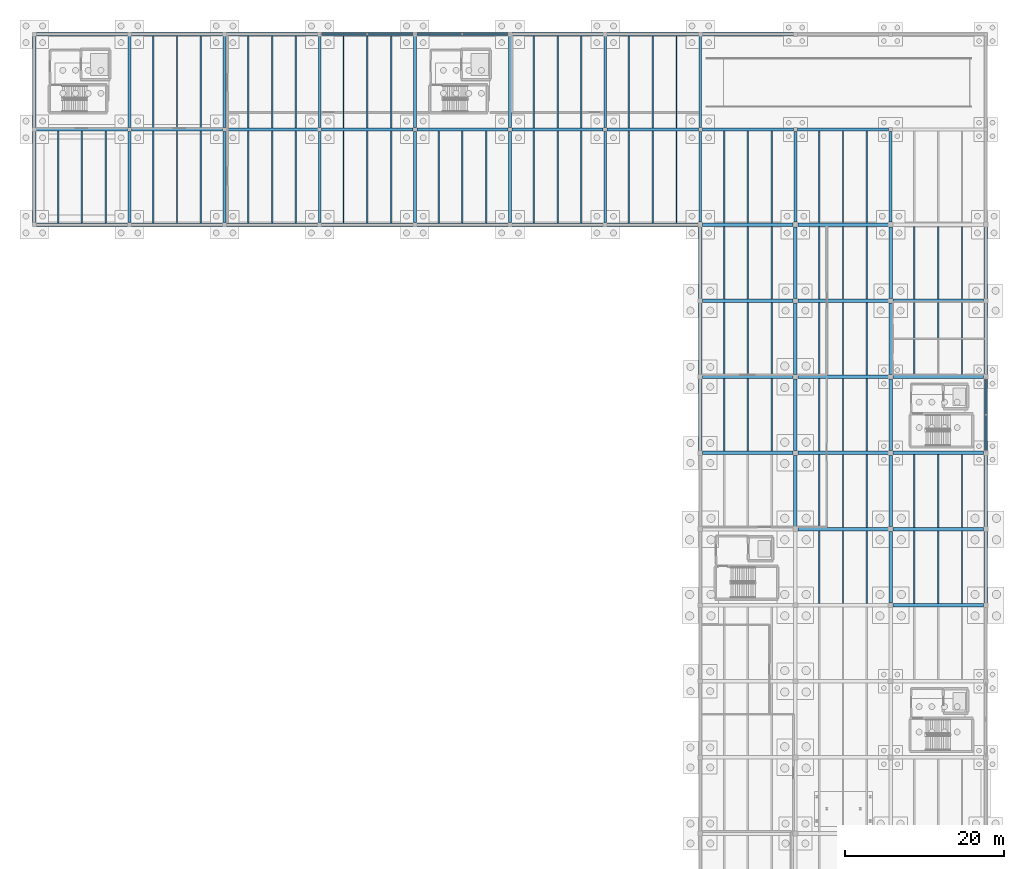
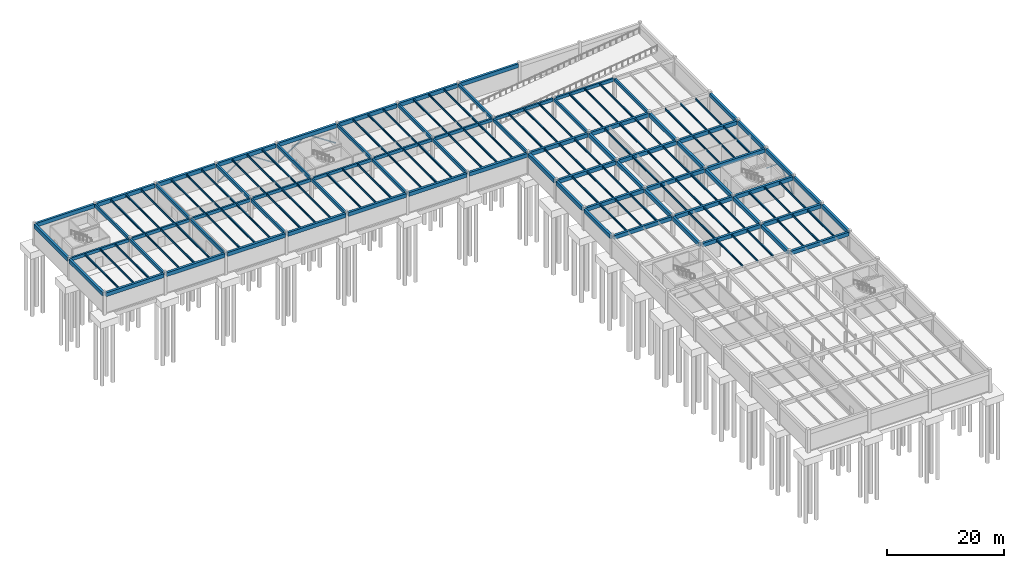
# One storey, part 6 of 20: 151 beams, 6 members.
"""IFC4 building model written with IfcOpenShell, lengths in metres."""

from ifc_helpers import new_model, si_unit, direction, frame, origin, origin_2d, place, context, subcontext, project, spatial, rectangle, hollow_rectangle, i_section, extrude, material, material_profile, profile_set, type_object, element, save


model = new_model("IFC4")

# Units and contexts
model_context = context("Model", 3, precision=1e-05, world=origin(), true_north=direction((0.0, 1.0)))
body_context = subcontext(model_context, "Body", "Model", "MODEL_VIEW")
ifc_project = project(units=[si_unit("LENGTHUNIT", "METRE"), si_unit("AREAUNIT", "SQUARE_METRE"), si_unit("VOLUMEUNIT", "CUBIC_METRE"), si_unit("PLANEANGLEUNIT", "RADIAN"), si_unit("MASSUNIT", "GRAM", prefix="KILO")], contexts=[model_context])

# Site, building, storey
site_placement = place(None, origin())
site = spatial("IfcSite", under=ifc_project, at=site_placement, CompositionType="ELEMENT")
building_placement = place(site_placement, origin())
building = spatial("IfcBuilding", under=site, at=building_placement, Name="Pandanus Reach Market Hall", CompositionType="ELEMENT")
storey_placement = place(building_placement, frame((0.0, 0.0, -4.5)))
storey = spatial("IfcBuildingStorey", under=building, at=storey_placement, Name="B1", CompositionType="ELEMENT", Elevation=-4.5)

# Beams
ifc_material_1 = material(Name="Concrete N40 (40 MPa)", Category="concrete")
ifc_material_profile_1 = material_profile(ifc_material_1, rectangle(XDim=0.35009765625, YDim=0.64990234375, at=origin_2d()), Name="RC350x650", Category="LoadBearing")
ifc_profile_set_1 = profile_set([ifc_material_profile_1], Name="Concrete N40 (40 MPa)")
beam_type_1 = type_object("IfcBeamType", Name="BM-RC350-I", PredefinedType="T_BEAM", material=ifc_profile_set_1)
for number, where, z_axis, x_axis, name in (
    (1, (60.248046875, 108.0, 3.85009765625), (1.0, 0.0, 0.0), (0.0, 1.0, 0.0), "Framing beam BM-RC350-I B1.671"),
    (2, (72.248046875, 108.0, 3.85009765625), (1.0, 0.0, 0.0), (0.0, 1.0, 0.0), "Framing beam BM-RC350-I B1.672"),
    (3, (84.248046875, 108.0, 3.85009765625), (1.0, 0.0, 0.0), (0.0, 1.0, 0.0), "Framing beam BM-RC350-I B1.673"),
    (4, (96.248046875, 108.0, 3.85009765625), (1.0, 0.0, 0.0), (0.0, 1.0, 0.0), "Framing beam BM-RC350-I B1.674"),
    (5, (108.248046875, 108.0, 3.85009765625), (1.0, 0.0, 0.0), (0.0, 1.0, 0.0), "Framing beam BM-RC350-I B1.675"),
    (6, (120.248046875, 108.0, 3.85009765625), (1.0, 0.0, 0.0), (0.0, 1.0, 0.0), "Framing beam BM-RC350-I B1.676"),
    (7, (132.248046875, 108.0, 3.85009765625), (1.0, 0.0, 0.0), (0.0, 1.0, 0.0), "Framing beam BM-RC350-I B1.677"),
    (8, (144.248046875, 108.0, 3.85009765625), (1.0, 0.0, 0.0), (0.0, 1.0, 0.0), "Framing beam BM-RC350-I B1.678"),
    (9, (156.248046875, 108.0, 3.85009765625), (1.0, 0.0, 0.0), (0.0, 1.0, 0.0), "Framing beam BM-RC350-I B1.679"),
    (10, (72.0, 96.248046875, 3.85009765625), (0.0, 1.0, 0.0), (-1.0, 0.0, 0.0), "Framing beam BM-RC350-I B1.693"),
    (11, (72.0, 108.248046875, 3.85009765625), (0.0, 1.0, 0.0), (-1.0, 0.0, 0.0), "Framing beam BM-RC350-I B1.694"),
    (12, (84.0, 96.248046875, 3.85009765625), (0.0, 1.0, 0.0), (-1.0, 0.0, 0.0), "Framing beam BM-RC350-I B1.695"),
    (13, (84.0, 108.248046875, 3.85009765625), (0.0, 1.0, 0.0), (-1.0, 0.0, 0.0), "Framing beam BM-RC350-I B1.696"),
    (14, (96.0, 96.248046875, 3.85009765625), (0.0, 1.0, 0.0), (-1.0, 0.0, 0.0), "Framing beam BM-RC350-I B1.697"),
    (15, (96.0, 108.248046875, 3.85009765625), (0.0, 1.0, 0.0), (-1.0, 0.0, 0.0), "Framing beam BM-RC350-I B1.698"),
    (16, (108.0, 96.248046875, 3.85009765625), (0.0, 1.0, 0.0), (-1.0, 0.0, 0.0), "Framing beam BM-RC350-I B1.699"),
    (17, (108.0, 108.248046875, 3.85009765625), (0.0, 1.0, 0.0), (-1.0, 0.0, 0.0), "Framing beam BM-RC350-I B1.700"),
    (18, (120.0, 96.248046875, 3.85009765625), (0.0, 1.0, 0.0), (-1.0, 0.0, 0.0), "Framing beam BM-RC350-I B1.701"),
    (19, (120.0, 108.248046875, 3.85009765625), (0.0, 1.0, 0.0), (-1.0, 0.0, 0.0), "Framing beam BM-RC350-I B1.702"),
    (20, (132.0, 96.248046875, 3.85009765625), (0.0, 1.0, 0.0), (-1.0, 0.0, 0.0), "Framing beam BM-RC350-I B1.703"),
    (21, (132.0, 108.248046875, 3.85009765625), (0.0, 1.0, 0.0), (-1.0, 0.0, 0.0), "Framing beam BM-RC350-I B1.704"),
):
    element("IfcBeam", number, at=place(storey_placement, frame(where, z_axis=z_axis, x_axis=x_axis)), inside=storey, type_object=beam_type_1, Name=name, PredefinedType="T_BEAM", context=body_context, shape_type="SweptSolid", body=[
        extrude(rectangle(XDim=0.35009765625, YDim=0.64990234375, at=origin_2d()), origin(), (0.0, 0.0, 1.0), 11.50390625),
    ])
beam_1_placement = place(storey_placement, frame((144.0, 96.298095703125, 3.85009765625), z_axis=(0.0, 1.0, 0.0), x_axis=(-1.0, 0.0, 0.0)))
element("IfcBeam", 22, at=beam_1_placement, inside=storey, type_object=beam_type_1, Name="Framing beam BM-RC350-I B1.705", PredefinedType="T_BEAM", context=body_context, shape_type="SweptSolid", body=[
    extrude(rectangle(XDim=0.35009765625, YDim=0.64990234375, at=origin_2d()), origin(), (0.0, 0.0, 1.0), 11.453857421875),
])
beam_2_placement = place(storey_placement, frame((144.0, 108.248046875, 3.85009765625), z_axis=(0.0, 1.0, 0.0), x_axis=(-1.0, 0.0, 0.0)))
element("IfcBeam", 23, at=beam_2_placement, inside=storey, type_object=beam_type_1, Name="Framing beam BM-RC350-I B1.706", PredefinedType="T_BEAM", context=body_context, shape_type="SweptSolid", body=[
    extrude(rectangle(XDim=0.35009765625, YDim=0.64990234375, at=origin_2d()), origin(), (0.0, 0.0, 1.0), 11.50390625),
])
for number, where, z_axis, x_axis, name in (
    (24, (156.0, 96.298095703125, 3.85009765625), (0.0, 1.0, 0.0), (-1.0, 0.0, 0.0), "Framing beam BM-RC350-I B1.707"),
    (25, (168.0, 96.298095703125, 3.85009765625), (0.0, 1.0, 0.0), (-1.0, 0.0, 0.0), "Framing beam BM-RC350-I B1.708"),
):
    element("IfcBeam", number, at=place(storey_placement, frame(where, z_axis=z_axis, x_axis=x_axis)), inside=storey, type_object=beam_type_1, Name=name, PredefinedType="T_BEAM", context=body_context, shape_type="SweptSolid", body=[
        extrude(rectangle(XDim=0.35009765625, YDim=0.64990234375, at=origin_2d()), origin(), (0.0, 0.0, 1.0), 11.453857421875),
    ])
ifc_material_profile_2 = material_profile(ifc_material_1, rectangle(XDim=0.449951171875, YDim=0.800048828125, at=origin_2d()), Name="RC450x800", Category="LoadBearing")
ifc_profile_set_2 = profile_set([ifc_material_profile_2], Name="Concrete N40 (40 MPa)")
beam_type_2 = type_object("IfcBeamType", Name="BM-RC450-E", PredefinedType="SPANDREL", material=ifc_profile_set_2)
for number, where, z_axis, x_axis, name in (
    (26, (144.298095703125, 96.0, 3.77490234375), (1.0, 0.0, 0.0), (0.0, 1.0, 0.0), "Framing beam BM-RC450-E B1.31"),
    (27, (156.298095703125, 96.0, 3.77490234375), (1.0, 0.0, 0.0), (0.0, 1.0, 0.0), "Framing beam BM-RC450-E B1.32"),
):
    element("IfcBeam", number, at=place(storey_placement, frame(where, z_axis=z_axis, x_axis=x_axis)), inside=storey, type_object=beam_type_2, Name=name, PredefinedType="SPANDREL", context=body_context, shape_type="SweptSolid", body=[
        extrude(rectangle(XDim=0.449951171875, YDim=0.800048828125, at=origin_2d()), origin(), (0.0, 0.0, 1.0), 11.40380859375),
    ])
beam_3_placement = place(storey_placement, frame((144.0, 67.498046875, 3.794921875), z_axis=(0.0, 1.0, 0.0), x_axis=(-1.0, 0.0, 0.0)))
element("IfcBeam", 28, at=beam_3_placement, inside=storey, type_object=beam_type_2, Name="Framing beam BM-RC450-E B1.41", PredefinedType="SPANDREL", context=body_context, shape_type="SweptSolid", body=[
    extrude(rectangle(XDim=0.449951171875, YDim=0.800048828125, at=origin_2d()), origin(), (0.0, 0.0, 1.0), 9.00390625),
])
beam_4_placement = place(storey_placement, frame((144.0, 77.097900390625, 3.794921875), z_axis=(0.0, 1.0, 0.0), x_axis=(-1.0, 0.0, 0.0)))
element("IfcBeam", 29, at=beam_4_placement, inside=storey, type_object=beam_type_2, Name="Framing beam BM-RC450-E B1.42", PredefinedType="SPANDREL", context=body_context, shape_type="SweptSolid", body=[
    extrude(rectangle(XDim=0.449951171875, YDim=0.800048828125, at=origin_2d()), origin(), (0.0, 0.0, 1.0), 9.004150390625),
])
for number, where, z_axis, x_axis, name in (
    (30, (144.0, 86.697998046875, 3.794921875), (0.0, 1.0, 0.0), (-1.0, 0.0, 0.0), "Framing beam BM-RC450-E B1.43"),
    (31, (180.0, 48.298095703125, 3.794921875), (0.0, 1.0, 0.0), (-1.0, 0.0, 0.0), "Framing beam BM-RC450-E B1.69"),
):
    element("IfcBeam", number, at=place(storey_placement, frame(where, z_axis=z_axis, x_axis=x_axis)), inside=storey, type_object=beam_type_2, Name=name, PredefinedType="SPANDREL", context=body_context, shape_type="SweptSolid", body=[
        extrude(rectangle(XDim=0.449951171875, YDim=0.800048828125, at=origin_2d()), origin(), (0.0, 0.0, 1.0), 9.00390625),
    ])
beam_5_placement = place(storey_placement, frame((180.0, 57.89794921875, 3.794921875), z_axis=(0.0, 1.0, 0.0), x_axis=(-1.0, 0.0, 0.0)))
element("IfcBeam", 32, at=beam_5_placement, inside=storey, type_object=beam_type_2, Name="Framing beam BM-RC450-E B1.70", PredefinedType="SPANDREL", context=body_context, shape_type="SweptSolid", body=[
    extrude(rectangle(XDim=0.449951171875, YDim=0.800048828125, at=origin_2d()), origin(), (0.0, 0.0, 1.0), 9.004150390625),
])
beam_6_placement = place(storey_placement, frame((180.0, 67.498046875, 3.794921875), z_axis=(0.0, 1.0, 0.0), x_axis=(-1.0, 0.0, 0.0)))
element("IfcBeam", 33, at=beam_6_placement, inside=storey, type_object=beam_type_2, Name="Framing beam BM-RC450-E B1.71", PredefinedType="SPANDREL", context=body_context, shape_type="SweptSolid", body=[
    extrude(rectangle(XDim=0.449951171875, YDim=0.800048828125, at=origin_2d()), origin(), (0.0, 0.0, 1.0), 9.00390625),
])
beam_7_placement = place(storey_placement, frame((180.0, 77.097900390625, 3.794921875), z_axis=(0.0, 1.0, 0.0), x_axis=(-1.0, 0.0, 0.0)))
element("IfcBeam", 34, at=beam_7_placement, inside=storey, type_object=beam_type_2, Name="Framing beam BM-RC450-E B1.72", PredefinedType="SPANDREL", context=body_context, shape_type="SweptSolid", body=[
    extrude(rectangle(XDim=0.449951171875, YDim=0.800048828125, at=origin_2d()), origin(), (0.0, 0.0, 1.0), 9.004150390625),
])
beam_8_placement = place(storey_placement, frame((180.0, 86.697998046875, 3.794921875), z_axis=(0.0, 1.0, 0.0), x_axis=(-1.0, 0.0, 0.0)))
element("IfcBeam", 35, at=beam_8_placement, inside=storey, type_object=beam_type_2, Name="Framing beam BM-RC450-E B1.73", PredefinedType="SPANDREL", context=body_context, shape_type="SweptSolid", body=[
    extrude(rectangle(XDim=0.449951171875, YDim=0.800048828125, at=origin_2d()), origin(), (0.0, 0.0, 1.0), 9.00390625),
])
for number, where, z_axis, x_axis, name in (
    (36, (60.248046875, 96.0, 3.77490234375), (1.0, 0.0, 0.0), (0.0, 1.0, 0.0), "Framing beam BM-RC450-E B1.664"),
    (37, (72.248046875, 96.0, 3.77490234375), (1.0, 0.0, 0.0), (0.0, 1.0, 0.0), "Framing beam BM-RC450-E B1.665"),
    (38, (84.248046875, 96.0, 3.77490234375), (1.0, 0.0, 0.0), (0.0, 1.0, 0.0), "Framing beam BM-RC450-E B1.666"),
    (39, (96.248046875, 96.0, 3.77490234375), (1.0, 0.0, 0.0), (0.0, 1.0, 0.0), "Framing beam BM-RC450-E B1.667"),
    (40, (108.248046875, 96.0, 3.77490234375), (1.0, 0.0, 0.0), (0.0, 1.0, 0.0), "Framing beam BM-RC450-E B1.668"),
    (41, (120.248046875, 96.0, 3.77490234375), (1.0, 0.0, 0.0), (0.0, 1.0, 0.0), "Framing beam BM-RC450-E B1.669"),
):
    element("IfcBeam", number, at=place(storey_placement, frame(where, z_axis=z_axis, x_axis=x_axis)), inside=storey, type_object=beam_type_2, Name=name, PredefinedType="SPANDREL", context=body_context, shape_type="SweptSolid", body=[
        extrude(rectangle(XDim=0.449951171875, YDim=0.800048828125, at=origin_2d()), origin(), (0.0, 0.0, 1.0), 11.50390625),
    ])
beam_9_placement = place(storey_placement, frame((132.248046875, 96.0, 3.77490234375), z_axis=(1.0, 0.0, 0.0), x_axis=(0.0, 1.0, 0.0)))
element("IfcBeam", 42, at=beam_9_placement, inside=storey, type_object=beam_type_2, Name="Framing beam BM-RC450-E B1.670", PredefinedType="SPANDREL", context=body_context, shape_type="SweptSolid", body=[
    extrude(rectangle(XDim=0.449951171875, YDim=0.800048828125, at=origin_2d()), origin(), (0.0, 0.0, 1.0), 11.453857421875),
])
for number, where, z_axis, x_axis, name in (
    (43, (60.248046875, 120.0, 3.77490234375), (1.0, 0.0, 0.0), (0.0, 1.0, 0.0), "Framing beam BM-RC450-E B1.681"),
    (44, (72.248046875, 120.0, 3.77490234375), (1.0, 0.0, 0.0), (0.0, 1.0, 0.0), "Framing beam BM-RC450-E B1.682"),
    (45, (84.248046875, 120.0, 3.77490234375), (1.0, 0.0, 0.0), (0.0, 1.0, 0.0), "Framing beam BM-RC450-E B1.683"),
    (46, (96.248046875, 120.0, 3.77490234375), (1.0, 0.0, 0.0), (0.0, 1.0, 0.0), "Framing beam BM-RC450-E B1.684"),
    (47, (108.248046875, 120.0, 3.77490234375), (1.0, 0.0, 0.0), (0.0, 1.0, 0.0), "Framing beam BM-RC450-E B1.685"),
    (48, (120.248046875, 120.0, 3.77490234375), (1.0, 0.0, 0.0), (0.0, 1.0, 0.0), "Framing beam BM-RC450-E B1.686"),
    (49, (132.248046875, 120.0, 3.77490234375), (1.0, 0.0, 0.0), (0.0, 1.0, 0.0), "Framing beam BM-RC450-E B1.687"),
    (50, (144.248046875, 120.0, 3.77490234375), (1.0, 0.0, 0.0), (0.0, 1.0, 0.0), "Framing beam BM-RC450-E B1.688"),
    (51, (60.0, 96.248046875, 3.77490234375), (0.0, 1.0, 0.0), (-1.0, 0.0, 0.0), "Framing beam BM-RC450-E B1.691"),
    (52, (60.0, 108.248046875, 3.77490234375), (0.0, 1.0, 0.0), (-1.0, 0.0, 0.0), "Framing beam BM-RC450-E B1.692"),
):
    element("IfcBeam", number, at=place(storey_placement, frame(where, z_axis=z_axis, x_axis=x_axis)), inside=storey, type_object=beam_type_2, Name=name, PredefinedType="SPANDREL", context=body_context, shape_type="SweptSolid", body=[
        extrude(rectangle(XDim=0.449951171875, YDim=0.800048828125, at=origin_2d()), origin(), (0.0, 0.0, 1.0), 11.50390625),
    ])
ifc_material_profile_3 = material_profile(ifc_material_1, rectangle(XDim=0.449951171875, YDim=0.800048828125, at=origin_2d()), Name="RC450x800", Category="LoadBearing")
ifc_profile_set_3 = profile_set([ifc_material_profile_3], Name="Concrete N40 (40 MPa)")
beam_type_3 = type_object("IfcBeamType", Name="BM-RC450-I", PredefinedType="BEAM", material=ifc_profile_set_3)
for number, where, z_axis, x_axis, name in (
    (53, (168.298095703125, 48.0, 3.794921875), (1.0, 0.0, 0.0), (0.0, 1.0, 0.0), "Framing beam BM-RC450-I B1.18"),
    (54, (156.298095703125, 57.60009765625, 3.794921875), (1.0, 0.0, 0.0), (0.0, 1.0, 0.0), "Framing beam BM-RC450-I B1.20"),
    (55, (168.298095703125, 57.60009765625, 3.794921875), (1.0, 0.0, 0.0), (0.0, 1.0, 0.0), "Framing beam BM-RC450-I B1.21"),
    (56, (144.298095703125, 67.199951171875, 3.794921875), (1.0, 0.0, 0.0), (0.0, 1.0, 0.0), "Framing beam BM-RC450-I B1.22"),
    (57, (156.298095703125, 67.199951171875, 3.794921875), (1.0, 0.0, 0.0), (0.0, 1.0, 0.0), "Framing beam BM-RC450-I B1.23"),
    (58, (168.298095703125, 67.199951171875, 3.794921875), (1.0, 0.0, 0.0), (0.0, 1.0, 0.0), "Framing beam BM-RC450-I B1.24"),
    (59, (144.298095703125, 76.800048828125, 3.794921875), (1.0, 0.0, 0.0), (0.0, 1.0, 0.0), "Framing beam BM-RC450-I B1.25"),
    (60, (156.298095703125, 76.800048828125, 3.794921875), (1.0, 0.0, 0.0), (0.0, 1.0, 0.0), "Framing beam BM-RC450-I B1.26"),
    (61, (168.298095703125, 76.800048828125, 3.794921875), (1.0, 0.0, 0.0), (0.0, 1.0, 0.0), "Framing beam BM-RC450-I B1.27"),
    (62, (144.298095703125, 86.39990234375, 3.794921875), (1.0, 0.0, 0.0), (0.0, 1.0, 0.0), "Framing beam BM-RC450-I B1.28"),
    (63, (156.298095703125, 86.39990234375, 3.794921875), (1.0, 0.0, 0.0), (0.0, 1.0, 0.0), "Framing beam BM-RC450-I B1.29"),
    (64, (168.298095703125, 86.39990234375, 3.794921875), (1.0, 0.0, 0.0), (0.0, 1.0, 0.0), "Framing beam BM-RC450-I B1.30"),
):
    element("IfcBeam", number, at=place(storey_placement, frame(where, z_axis=z_axis, x_axis=x_axis)), inside=storey, type_object=beam_type_3, Name=name, PredefinedType="BEAM", context=body_context, shape_type="SweptSolid", body=[
        extrude(rectangle(XDim=0.449951171875, YDim=0.800048828125, at=origin_2d()), origin(), (0.0, 0.0, 1.0), 11.40380859375),
    ])
beam_10_placement = place(storey_placement, frame((156.0, 57.89794921875, 3.794921875), z_axis=(0.0, 1.0, 0.0), x_axis=(-1.0, 0.0, 0.0)))
element("IfcBeam", 65, at=beam_10_placement, inside=storey, type_object=beam_type_3, Name="Framing beam BM-RC450-I B1.50", PredefinedType="BEAM", context=body_context, shape_type="SweptSolid", body=[
    extrude(rectangle(XDim=0.449951171875, YDim=0.800048828125, at=origin_2d()), origin(), (0.0, 0.0, 1.0), 9.004150390625),
])
beam_11_placement = place(storey_placement, frame((156.0, 67.498046875, 3.794921875), z_axis=(0.0, 1.0, 0.0), x_axis=(-1.0, 0.0, 0.0)))
element("IfcBeam", 66, at=beam_11_placement, inside=storey, type_object=beam_type_3, Name="Framing beam BM-RC450-I B1.51", PredefinedType="BEAM", context=body_context, shape_type="SweptSolid", body=[
    extrude(rectangle(XDim=0.449951171875, YDim=0.800048828125, at=origin_2d()), origin(), (0.0, 0.0, 1.0), 9.00390625),
])
beam_12_placement = place(storey_placement, frame((156.0, 77.097900390625, 3.794921875), z_axis=(0.0, 1.0, 0.0), x_axis=(-1.0, 0.0, 0.0)))
element("IfcBeam", 67, at=beam_12_placement, inside=storey, type_object=beam_type_3, Name="Framing beam BM-RC450-I B1.52", PredefinedType="BEAM", context=body_context, shape_type="SweptSolid", body=[
    extrude(rectangle(XDim=0.449951171875, YDim=0.800048828125, at=origin_2d()), origin(), (0.0, 0.0, 1.0), 9.004150390625),
])
for number, where, z_axis, x_axis, name in (
    (68, (156.0, 86.697998046875, 3.794921875), (0.0, 1.0, 0.0), (-1.0, 0.0, 0.0), "Framing beam BM-RC450-I B1.53"),
    (69, (168.0, 48.298095703125, 3.794921875), (0.0, 1.0, 0.0), (-1.0, 0.0, 0.0), "Framing beam BM-RC450-I B1.59"),
):
    element("IfcBeam", number, at=place(storey_placement, frame(where, z_axis=z_axis, x_axis=x_axis)), inside=storey, type_object=beam_type_3, Name=name, PredefinedType="BEAM", context=body_context, shape_type="SweptSolid", body=[
        extrude(rectangle(XDim=0.449951171875, YDim=0.800048828125, at=origin_2d()), origin(), (0.0, 0.0, 1.0), 9.00390625),
    ])
beam_13_placement = place(storey_placement, frame((168.0, 57.89794921875, 3.794921875), z_axis=(0.0, 1.0, 0.0), x_axis=(-1.0, 0.0, 0.0)))
element("IfcBeam", 70, at=beam_13_placement, inside=storey, type_object=beam_type_3, Name="Framing beam BM-RC450-I B1.60", PredefinedType="BEAM", context=body_context, shape_type="SweptSolid", body=[
    extrude(rectangle(XDim=0.449951171875, YDim=0.800048828125, at=origin_2d()), origin(), (0.0, 0.0, 1.0), 9.004150390625),
])
beam_14_placement = place(storey_placement, frame((168.0, 67.498046875, 3.794921875), z_axis=(0.0, 1.0, 0.0), x_axis=(-1.0, 0.0, 0.0)))
element("IfcBeam", 71, at=beam_14_placement, inside=storey, type_object=beam_type_3, Name="Framing beam BM-RC450-I B1.61", PredefinedType="BEAM", context=body_context, shape_type="SweptSolid", body=[
    extrude(rectangle(XDim=0.449951171875, YDim=0.800048828125, at=origin_2d()), origin(), (0.0, 0.0, 1.0), 9.00390625),
])
beam_15_placement = place(storey_placement, frame((168.0, 77.097900390625, 3.794921875), z_axis=(0.0, 1.0, 0.0), x_axis=(-1.0, 0.0, 0.0)))
element("IfcBeam", 72, at=beam_15_placement, inside=storey, type_object=beam_type_3, Name="Framing beam BM-RC450-I B1.62", PredefinedType="BEAM", context=body_context, shape_type="SweptSolid", body=[
    extrude(rectangle(XDim=0.449951171875, YDim=0.800048828125, at=origin_2d()), origin(), (0.0, 0.0, 1.0), 9.004150390625),
])
beam_16_placement = place(storey_placement, frame((168.0, 86.697998046875, 3.794921875), z_axis=(0.0, 1.0, 0.0), x_axis=(-1.0, 0.0, 0.0)))
element("IfcBeam", 73, at=beam_16_placement, inside=storey, type_object=beam_type_3, Name="Framing beam BM-RC450-I B1.63", PredefinedType="BEAM", context=body_context, shape_type="SweptSolid", body=[
    extrude(rectangle(XDim=0.449951171875, YDim=0.800048828125, at=origin_2d()), origin(), (0.0, 0.0, 1.0), 9.00390625),
])

# Members
ifc_material_2 = material(Name="Steel Grade 350 (350 MPa)", Category="steel")
ifc_material_profile_4 = material_profile(ifc_material_2, hollow_rectangle(XDim=0.199951171875, YDim=0.199951171875, WallThickness=0.009033203125, at=origin_2d()), Name="200x200x9.0SHS", Category="LoadBearing")
ifc_profile_set_4 = profile_set([ifc_material_profile_4], Name="Steel Grade 350 (350 MPa)")
member_type = type_object("IfcMemberType", Name="BR-SHS200-I", PredefinedType="BRACE", material=ifc_profile_set_4)
for number, where, z_axis, x_axis, name in (
    (74, (96.2900390625, 120.0, 0.10009765625), (0.835971080491, 0.0, 0.548773498434), (0.0, 1.0, 0.0), "Chevron brace BR-SHS200-I 1A"),
    (75, (107.7099609375, 120.0, 0.10009765625), (-0.835971080491, 0.0, 0.548773498434), (0.0, -1.0, 0.0), "Chevron brace BR-SHS200-I 1B"),
    (76, (108.2900390625, 120.0, 0.10009765625), (0.835971080491, 0.0, 0.548773498434), (0.0, 1.0, 0.0), "Chevron brace BR-SHS200-I 2A"),
    (77, (119.7099609375, 120.0, 0.10009765625), (-0.835971080491, 0.0, 0.548773498434), (0.0, -1.0, 0.0), "Chevron brace BR-SHS200-I 2B"),
):
    element("IfcMember", number, at=place(storey_placement, frame(where, z_axis=z_axis, x_axis=x_axis)), inside=storey, type_object=member_type, Name=name, PredefinedType="BRACE", context=body_context, shape_type="SweptSolid", body=[
        extrude(hollow_rectangle(XDim=0.199951171875, YDim=0.199951171875, WallThickness=0.009033203125, at=origin_2d()), origin(), (0.0, 0.0, 1.0), 6.651123046875),
    ])
for number, where, z_axis, x_axis, name in (
    (78, (180.0, 67.489990234375, 0.10009765625), (0.0, 0.766794041081, 0.641893214299), (-1.0, 0.0, 0.0), "Chevron brace BR-SHS200-I 4A"),
    (79, (180.0, 76.510009765625, 0.10009765625), (0.0, -0.766794041081, 0.641893214299), (1.0, 0.0, 0.0), "Chevron brace BR-SHS200-I 4B"),
):
    element("IfcMember", number, at=place(storey_placement, frame(where, z_axis=z_axis, x_axis=x_axis)), inside=storey, type_object=member_type, Name=name, PredefinedType="BRACE", context=body_context, shape_type="SweptSolid", body=[
        extrude(hollow_rectangle(XDim=0.199951171875, YDim=0.199951171875, WallThickness=0.009033203125, at=origin_2d()), origin(), (0.0, 0.0, 1.0), 5.68603515625),
    ])

# Beams
ifc_material_profile_5 = material_profile(ifc_material_2, i_section(OverallWidth=0.177978515625, OverallDepth=0.406005859375, WebThickness=0.0078125, FlangeThickness=0.0126953125, at=origin_2d()), Name="410UB59.7", Category="LoadBearing")
ifc_profile_set_5 = profile_set([ifc_material_profile_5], Name="Steel Grade 350 (350 MPa)")
beam_type_4 = type_object("IfcBeamType", Name="JS-UB410-I", PredefinedType="JOIST", material=ifc_profile_set_5)
for number, where, z_axis, x_axis, name in (
    (80, (147.0, 67.423095703125, 3.99169921875), (0.0, 1.0, 0.0), (-1.0, 0.0, 0.0), "Secondary joist JS-UB410-I B1.92"),
    (81, (150.0, 67.423095703125, 3.99169921875), (0.0, 1.0, 0.0), (-1.0, 0.0, 0.0), "Secondary joist JS-UB410-I B1.93"),
    (82, (153.0, 67.423095703125, 3.99169921875), (0.0, 1.0, 0.0), (-1.0, 0.0, 0.0), "Secondary joist JS-UB410-I B1.94"),
):
    element("IfcBeam", number, at=place(storey_placement, frame(where, z_axis=z_axis, x_axis=x_axis)), inside=storey, type_object=beam_type_4, Name=name, PredefinedType="JOIST", context=body_context, shape_type="SweptSolid", body=[
        extrude(i_section(OverallWidth=0.177978515625, OverallDepth=0.406005859375, WebThickness=0.0078125, FlangeThickness=0.0126953125, at=origin_2d()), origin(), (0.0, 0.0, 1.0), 9.15380859375),
    ])
for number, where, z_axis, x_axis, name in (
    (83, (147.0, 77.02294921875, 3.99169921875), (0.0, 1.0, 0.0), (-1.0, 0.0, 0.0), "Secondary joist JS-UB410-I B1.95"),
    (84, (150.0, 77.02294921875, 3.99169921875), (0.0, 1.0, 0.0), (-1.0, 0.0, 0.0), "Secondary joist JS-UB410-I B1.96"),
    (85, (153.0, 77.02294921875, 3.99169921875), (0.0, 1.0, 0.0), (-1.0, 0.0, 0.0), "Secondary joist JS-UB410-I B1.97"),
    (86, (147.0, 86.623046875, 3.99169921875), (0.0, 1.0, 0.0), (-1.0, 0.0, 0.0), "Secondary joist JS-UB410-I B1.98"),
    (87, (150.0, 86.623046875, 3.99169921875), (0.0, 1.0, 0.0), (-1.0, 0.0, 0.0), "Secondary joist JS-UB410-I B1.99"),
    (88, (153.0, 86.623046875, 3.99169921875), (0.0, 1.0, 0.0), (-1.0, 0.0, 0.0), "Secondary joist JS-UB410-I B1.100"),
    (89, (159.0, 48.222900390625, 3.99169921875), (0.0, 1.0, 0.0), (-1.0, 0.0, 0.0), "Secondary joist JS-UB410-I B1.116"),
    (90, (162.0, 48.222900390625, 3.99169921875), (0.0, 1.0, 0.0), (-1.0, 0.0, 0.0), "Secondary joist JS-UB410-I B1.117"),
    (91, (165.0, 48.222900390625, 3.99169921875), (0.0, 1.0, 0.0), (-1.0, 0.0, 0.0), "Secondary joist JS-UB410-I B1.118"),
    (92, (159.0, 57.822998046875, 3.99169921875), (0.0, 1.0, 0.0), (-1.0, 0.0, 0.0), "Secondary joist JS-UB410-I B1.119"),
    (93, (162.0, 57.822998046875, 3.99169921875), (0.0, 1.0, 0.0), (-1.0, 0.0, 0.0), "Secondary joist JS-UB410-I B1.120"),
    (94, (165.0, 57.822998046875, 3.99169921875), (0.0, 1.0, 0.0), (-1.0, 0.0, 0.0), "Secondary joist JS-UB410-I B1.121"),
):
    element("IfcBeam", number, at=place(storey_placement, frame(where, z_axis=z_axis, x_axis=x_axis)), inside=storey, type_object=beam_type_4, Name=name, PredefinedType="JOIST", context=body_context, shape_type="SweptSolid", body=[
        extrude(i_section(OverallWidth=0.177978515625, OverallDepth=0.406005859375, WebThickness=0.0078125, FlangeThickness=0.0126953125, at=origin_2d()), origin(), (0.0, 0.0, 1.0), 9.154052734375),
    ])
for number, where, z_axis, x_axis, name in (
    (95, (159.0, 67.423095703125, 3.99169921875), (0.0, 1.0, 0.0), (-1.0, 0.0, 0.0), "Secondary joist JS-UB410-I B1.122"),
    (96, (162.0, 67.423095703125, 3.99169921875), (0.0, 1.0, 0.0), (-1.0, 0.0, 0.0), "Secondary joist JS-UB410-I B1.123"),
    (97, (165.0, 67.423095703125, 3.99169921875), (0.0, 1.0, 0.0), (-1.0, 0.0, 0.0), "Secondary joist JS-UB410-I B1.124"),
):
    element("IfcBeam", number, at=place(storey_placement, frame(where, z_axis=z_axis, x_axis=x_axis)), inside=storey, type_object=beam_type_4, Name=name, PredefinedType="JOIST", context=body_context, shape_type="SweptSolid", body=[
        extrude(i_section(OverallWidth=0.177978515625, OverallDepth=0.406005859375, WebThickness=0.0078125, FlangeThickness=0.0126953125, at=origin_2d()), origin(), (0.0, 0.0, 1.0), 9.15380859375),
    ])
for number, where, z_axis, x_axis, name in (
    (98, (159.0, 77.02294921875, 3.99169921875), (0.0, 1.0, 0.0), (-1.0, 0.0, 0.0), "Secondary joist JS-UB410-I B1.125"),
    (99, (162.0, 77.02294921875, 3.99169921875), (0.0, 1.0, 0.0), (-1.0, 0.0, 0.0), "Secondary joist JS-UB410-I B1.126"),
    (100, (165.0, 77.02294921875, 3.99169921875), (0.0, 1.0, 0.0), (-1.0, 0.0, 0.0), "Secondary joist JS-UB410-I B1.127"),
    (101, (159.0, 86.623046875, 3.99169921875), (0.0, 1.0, 0.0), (-1.0, 0.0, 0.0), "Secondary joist JS-UB410-I B1.128"),
    (102, (162.0, 86.623046875, 3.99169921875), (0.0, 1.0, 0.0), (-1.0, 0.0, 0.0), "Secondary joist JS-UB410-I B1.129"),
    (103, (165.0, 86.623046875, 3.99169921875), (0.0, 1.0, 0.0), (-1.0, 0.0, 0.0), "Secondary joist JS-UB410-I B1.130"),
    (104, (171.0, 48.222900390625, 3.99169921875), (0.0, 1.0, 0.0), (-1.0, 0.0, 0.0), "Secondary joist JS-UB410-I B1.143"),
    (105, (174.0, 48.222900390625, 3.99169921875), (0.0, 1.0, 0.0), (-1.0, 0.0, 0.0), "Secondary joist JS-UB410-I B1.144"),
    (106, (177.0, 48.222900390625, 3.99169921875), (0.0, 1.0, 0.0), (-1.0, 0.0, 0.0), "Secondary joist JS-UB410-I B1.145"),
    (107, (171.0, 57.822998046875, 3.99169921875), (0.0, 1.0, 0.0), (-1.0, 0.0, 0.0), "Secondary joist JS-UB410-I B1.146"),
    (108, (174.0, 57.822998046875, 3.99169921875), (0.0, 1.0, 0.0), (-1.0, 0.0, 0.0), "Secondary joist JS-UB410-I B1.147"),
    (109, (177.0, 57.822998046875, 3.99169921875), (0.0, 1.0, 0.0), (-1.0, 0.0, 0.0), "Secondary joist JS-UB410-I B1.148"),
    (110, (171.0, 77.02294921875, 3.99169921875), (0.0, 1.0, 0.0), (-1.0, 0.0, 0.0), "Secondary joist JS-UB410-I B1.149"),
    (111, (174.0, 77.02294921875, 3.99169921875), (0.0, 1.0, 0.0), (-1.0, 0.0, 0.0), "Secondary joist JS-UB410-I B1.150"),
    (112, (177.0, 77.02294921875, 3.99169921875), (0.0, 1.0, 0.0), (-1.0, 0.0, 0.0), "Secondary joist JS-UB410-I B1.151"),
    (113, (171.0, 86.623046875, 3.99169921875), (0.0, 1.0, 0.0), (-1.0, 0.0, 0.0), "Secondary joist JS-UB410-I B1.152"),
    (114, (174.0, 86.623046875, 3.99169921875), (0.0, 1.0, 0.0), (-1.0, 0.0, 0.0), "Secondary joist JS-UB410-I B1.153"),
    (115, (177.0, 86.623046875, 3.99169921875), (0.0, 1.0, 0.0), (-1.0, 0.0, 0.0), "Secondary joist JS-UB410-I B1.154"),
):
    element("IfcBeam", number, at=place(storey_placement, frame(where, z_axis=z_axis, x_axis=x_axis)), inside=storey, type_object=beam_type_4, Name=name, PredefinedType="JOIST", context=body_context, shape_type="SweptSolid", body=[
        extrude(i_section(OverallWidth=0.177978515625, OverallDepth=0.406005859375, WebThickness=0.0078125, FlangeThickness=0.0126953125, at=origin_2d()), origin(), (0.0, 0.0, 1.0), 9.154052734375),
    ])
for number, where, z_axis, x_axis, name in (
    (116, (63.0, 96.222900390625, 3.9716796875), (0.0, 1.0, 0.0), (-1.0, 0.0, 0.0), "Secondary joist JS-UB410-I B1.711"),
    (117, (66.0, 96.222900390625, 3.9716796875), (0.0, 1.0, 0.0), (-1.0, 0.0, 0.0), "Secondary joist JS-UB410-I B1.712"),
    (118, (69.0, 96.222900390625, 3.9716796875), (0.0, 1.0, 0.0), (-1.0, 0.0, 0.0), "Secondary joist JS-UB410-I B1.713"),
    (119, (75.0, 96.222900390625, 3.9716796875), (0.0, 1.0, 0.0), (-1.0, 0.0, 0.0), "Secondary joist JS-UB410-I B1.714"),
    (120, (78.0, 96.222900390625, 3.9716796875), (0.0, 1.0, 0.0), (-1.0, 0.0, 0.0), "Secondary joist JS-UB410-I B1.715"),
    (121, (81.0, 96.222900390625, 3.9716796875), (0.0, 1.0, 0.0), (-1.0, 0.0, 0.0), "Secondary joist JS-UB410-I B1.716"),
    (122, (75.0, 108.173095703125, 3.9716796875), (0.0, 1.0, 0.0), (-1.0, 0.0, 0.0), "Secondary joist JS-UB410-I B1.717"),
    (123, (78.0, 108.173095703125, 3.9716796875), (0.0, 1.0, 0.0), (-1.0, 0.0, 0.0), "Secondary joist JS-UB410-I B1.718"),
    (124, (81.0, 108.173095703125, 3.9716796875), (0.0, 1.0, 0.0), (-1.0, 0.0, 0.0), "Secondary joist JS-UB410-I B1.719"),
    (125, (87.0, 96.222900390625, 3.9716796875), (0.0, 1.0, 0.0), (-1.0, 0.0, 0.0), "Secondary joist JS-UB410-I B1.720"),
    (126, (90.0, 96.222900390625, 3.9716796875), (0.0, 1.0, 0.0), (-1.0, 0.0, 0.0), "Secondary joist JS-UB410-I B1.721"),
    (127, (93.0, 96.222900390625, 3.9716796875), (0.0, 1.0, 0.0), (-1.0, 0.0, 0.0), "Secondary joist JS-UB410-I B1.722"),
    (128, (87.0, 108.173095703125, 3.9716796875), (0.0, 1.0, 0.0), (-1.0, 0.0, 0.0), "Secondary joist JS-UB410-I B1.723"),
    (129, (90.0, 108.173095703125, 3.9716796875), (0.0, 1.0, 0.0), (-1.0, 0.0, 0.0), "Secondary joist JS-UB410-I B1.724"),
    (130, (93.0, 108.173095703125, 3.9716796875), (0.0, 1.0, 0.0), (-1.0, 0.0, 0.0), "Secondary joist JS-UB410-I B1.725"),
    (131, (99.0, 96.222900390625, 3.9716796875), (0.0, 1.0, 0.0), (-1.0, 0.0, 0.0), "Secondary joist JS-UB410-I B1.726"),
    (132, (102.0, 96.222900390625, 3.9716796875), (0.0, 1.0, 0.0), (-1.0, 0.0, 0.0), "Secondary joist JS-UB410-I B1.727"),
    (133, (105.0, 96.222900390625, 3.9716796875), (0.0, 1.0, 0.0), (-1.0, 0.0, 0.0), "Secondary joist JS-UB410-I B1.728"),
    (134, (99.0, 108.173095703125, 3.9716796875), (0.0, 1.0, 0.0), (-1.0, 0.0, 0.0), "Secondary joist JS-UB410-I B1.729"),
    (135, (102.0, 108.173095703125, 3.9716796875), (0.0, 1.0, 0.0), (-1.0, 0.0, 0.0), "Secondary joist JS-UB410-I B1.730"),
    (136, (105.0, 108.173095703125, 3.9716796875), (0.0, 1.0, 0.0), (-1.0, 0.0, 0.0), "Secondary joist JS-UB410-I B1.731"),
    (137, (111.0, 96.222900390625, 3.9716796875), (0.0, 1.0, 0.0), (-1.0, 0.0, 0.0), "Secondary joist JS-UB410-I B1.732"),
    (138, (114.0, 96.222900390625, 3.9716796875), (0.0, 1.0, 0.0), (-1.0, 0.0, 0.0), "Secondary joist JS-UB410-I B1.733"),
    (139, (117.0, 96.222900390625, 3.9716796875), (0.0, 1.0, 0.0), (-1.0, 0.0, 0.0), "Secondary joist JS-UB410-I B1.734"),
    (140, (123.0, 96.222900390625, 3.9716796875), (0.0, 1.0, 0.0), (-1.0, 0.0, 0.0), "Secondary joist JS-UB410-I B1.735"),
    (141, (126.0, 96.222900390625, 3.9716796875), (0.0, 1.0, 0.0), (-1.0, 0.0, 0.0), "Secondary joist JS-UB410-I B1.736"),
    (142, (129.0, 96.222900390625, 3.9716796875), (0.0, 1.0, 0.0), (-1.0, 0.0, 0.0), "Secondary joist JS-UB410-I B1.737"),
    (143, (123.0, 108.173095703125, 3.9716796875), (0.0, 1.0, 0.0), (-1.0, 0.0, 0.0), "Secondary joist JS-UB410-I B1.738"),
    (144, (126.0, 108.173095703125, 3.9716796875), (0.0, 1.0, 0.0), (-1.0, 0.0, 0.0), "Secondary joist JS-UB410-I B1.739"),
    (145, (129.0, 108.173095703125, 3.9716796875), (0.0, 1.0, 0.0), (-1.0, 0.0, 0.0), "Secondary joist JS-UB410-I B1.740"),
    (146, (135.0, 96.222900390625, 3.9716796875), (0.0, 1.0, 0.0), (-1.0, 0.0, 0.0), "Secondary joist JS-UB410-I B1.741"),
    (147, (138.0, 96.222900390625, 3.9716796875), (0.0, 1.0, 0.0), (-1.0, 0.0, 0.0), "Secondary joist JS-UB410-I B1.742"),
    (148, (141.0, 96.222900390625, 3.9716796875), (0.0, 1.0, 0.0), (-1.0, 0.0, 0.0), "Secondary joist JS-UB410-I B1.743"),
    (149, (135.0, 108.173095703125, 3.9716796875), (0.0, 1.0, 0.0), (-1.0, 0.0, 0.0), "Secondary joist JS-UB410-I B1.744"),
    (150, (138.0, 108.173095703125, 3.9716796875), (0.0, 1.0, 0.0), (-1.0, 0.0, 0.0), "Secondary joist JS-UB410-I B1.745"),
    (151, (141.0, 108.173095703125, 3.9716796875), (0.0, 1.0, 0.0), (-1.0, 0.0, 0.0), "Secondary joist JS-UB410-I B1.746"),
    (152, (147.0, 96.222900390625, 3.9716796875), (0.0, 1.0, 0.0), (-1.0, 0.0, 0.0), "Secondary joist JS-UB410-I B1.747"),
    (153, (150.0, 96.222900390625, 3.9716796875), (0.0, 1.0, 0.0), (-1.0, 0.0, 0.0), "Secondary joist JS-UB410-I B1.748"),
    (154, (153.0, 96.222900390625, 3.9716796875), (0.0, 1.0, 0.0), (-1.0, 0.0, 0.0), "Secondary joist JS-UB410-I B1.749"),
    (155, (159.0, 96.222900390625, 3.9716796875), (0.0, 1.0, 0.0), (-1.0, 0.0, 0.0), "Secondary joist JS-UB410-I B1.750"),
    (156, (162.0, 96.222900390625, 3.9716796875), (0.0, 1.0, 0.0), (-1.0, 0.0, 0.0), "Secondary joist JS-UB410-I B1.751"),
    (157, (165.0, 96.222900390625, 3.9716796875), (0.0, 1.0, 0.0), (-1.0, 0.0, 0.0), "Secondary joist JS-UB410-I B1.752"),
):
    element("IfcBeam", number, at=place(storey_placement, frame(where, z_axis=z_axis, x_axis=x_axis)), inside=storey, type_object=beam_type_4, Name=name, PredefinedType="JOIST", context=body_context, shape_type="SweptSolid", body=[
        extrude(i_section(OverallWidth=0.177978515625, OverallDepth=0.406005859375, WebThickness=0.0078125, FlangeThickness=0.0126953125, at=origin_2d()), origin(), (0.0, 0.0, 1.0), 11.60400390625),
    ])

save(model, "model.ifc")
